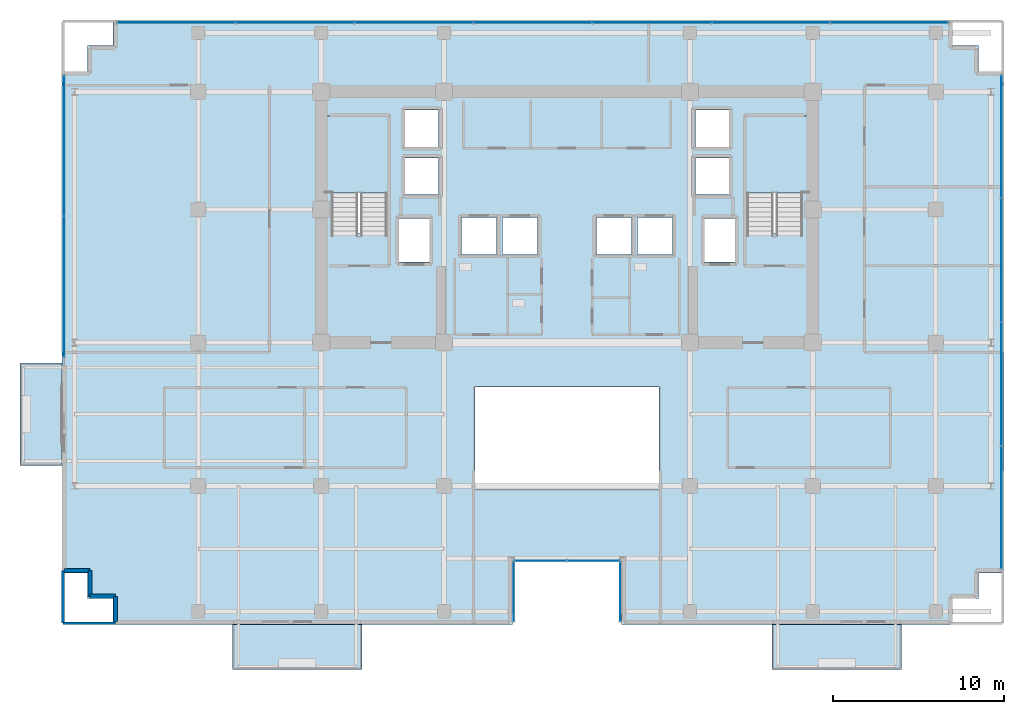
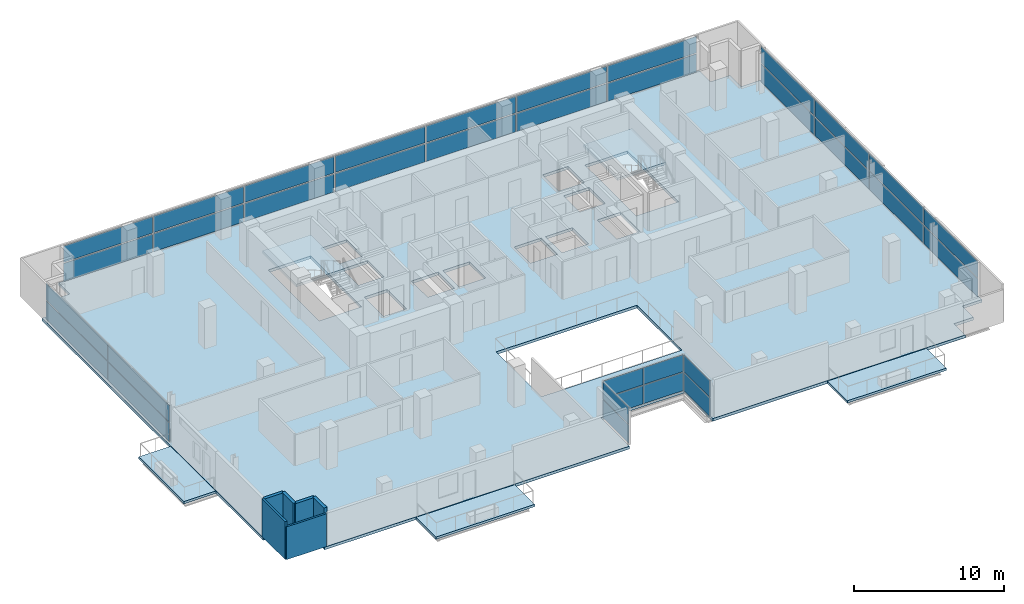
# One storey, part 19 of 27: 34 plates, 6 slabs, 6 walls, 8 elements without a shape of their own.
"""IFC4 building model written with IfcOpenShell, lengths in metres."""

from ifc_helpers import new_model, si_unit, direction, frame, frame_2d, origin, origin_2d, place, context, subcontext, project, spatial, polyline, rectangle, outline, extrude, source, transform, mapped, material, layer, layer_set, type_object, element, aggregate, save


model = new_model("IFC4")

# Units and contexts
model_context = context("Model", 3, precision=1e-05, world=origin(), true_north=direction((0.0, 1.0)))
body_context = subcontext(model_context, "Body", "Model", "MODEL_VIEW")
ifc_project = project(units=[si_unit("LENGTHUNIT", "METRE"), si_unit("AREAUNIT", "SQUARE_METRE"), si_unit("VOLUMEUNIT", "CUBIC_METRE"), si_unit("PLANEANGLEUNIT", "RADIAN"), si_unit("MASSUNIT", "GRAM", prefix="KILO")], contexts=[model_context])

# Site, building, storey
site_placement = place(None, origin())
site = spatial("IfcSite", under=ifc_project, at=site_placement, CompositionType="ELEMENT")
building_placement = place(site_placement, origin())
building = spatial("IfcBuilding", under=site, at=building_placement, Name="Zarnakvel Exchange Tower", CompositionType="ELEMENT")
storey_placement = place(building_placement, frame((0.0, 0.0, 96.699951171875)))
storey = spatial("IfcBuildingStorey", under=building, at=storey_placement, Name="L26", CompositionType="ELEMENT", Elevation=96.699951171875)

# Stair, slab
ifc_material_1 = material(Name="Concrete C40/50", Category="concrete")
stair_type = type_object("IfcStairType", Name="STR-01", PredefinedType="HALF_TURN_STAIR", material=ifc_material_1)
stair_1_placement = place(storey_placement, origin())
stair_1 = element("IfcStair", 1, at=stair_1_placement, inside=storey, type_object=stair_type, Name="L26 Protected Core Exit Stair ST-01", PredefinedType="HALF_TURN_STAIR")
ifc_layer_1 = layer(ifc_material_1, 0.199951171875)
ifc_layer_set_1 = layer_set([ifc_layer_1], Name="Concrete C40/50")
slab_type_1 = type_object("IfcSlabType", Name="LDG-01", PredefinedType="LANDING", material=ifc_layer_set_1)
slab_1_placement = place(storey_placement, frame((0.0, 0.0, 1.449951171875)))
slab_1 = element("IfcSlab", 2, at=slab_1_placement, type_object=slab_type_1, Name="ST-01 landing 1", PredefinedType="LANDING", context=body_context, shape_type="SweptSolid", body=[
    extrude(outline(polyline([(-14.18994140625, 7.570068359375), (-10.4599609375, 7.570068359375), (-10.4599609375, 12.080078125), (-14.18994140625, 12.080078125), (-14.18994140625, 7.570068359375)])), origin(), (0.0, 0.0, 1.0), 0.2001953125),
])
aggregate(stair_1, [slab_1])

stair_2_placement = place(storey_placement, origin())
stair_2 = element("IfcStair", 3, at=stair_2_placement, inside=storey, type_object=stair_type, Name="L26 Protected Core Exit Stair ST-02", PredefinedType="HALF_TURN_STAIR")
slab_2_placement = place(storey_placement, frame((0.0, 0.0, 1.449951171875)))
slab_2 = element("IfcSlab", 4, at=slab_2_placement, type_object=slab_type_1, Name="ST-02 landing 1", PredefinedType="LANDING", context=body_context, shape_type="SweptSolid", body=[
    extrude(outline(polyline([(10.4599609375, 7.570068359375), (14.18994140625, 7.570068359375), (14.18994140625, 12.080078125), (10.4599609375, 12.080078125), (10.4599609375, 7.570068359375)])), origin(), (0.0, 0.0, 1.0), 0.2001953125),
])
aggregate(stair_2, [slab_2])

# Slabs
ifc_layer_2 = layer(ifc_material_1, 0.22509765625)
ifc_layer_set_2 = layer_set([ifc_layer_2], Name="Concrete C40/50")
slab_type_2 = type_object("IfcSlabType", Name="SL-04", PredefinedType="FLOOR", material=ifc_layer_set_2)
slab_3_placement = place(storey_placement, frame((0.0, 0.0, -0.224853515625)))
element("IfcSlab", 5, at=slab_3_placement, inside=storey, type_object=slab_type_2, Name="L26 Primary Structural Floor Slab", PredefinedType="FLOOR", context=body_context, shape_type="SweptSolid", body=[
    extrude(outline(polyline([(-29.60009765625, -14.699951171875), (-28.10009765625, -14.699951171875), (-28.10009765625, -16.199951171875), (-26.60009765625, -16.199951171875), (-26.60009765625, -17.699951171875), (-3.199951171875, -17.699951171875), (-3.199951171875, -13.89990234375), (3.199951171875, -13.89990234375), (3.199951171875, -17.699951171875), (22.60009765625, -17.699951171875), (22.60009765625, -16.199951171875), (24.10009765625, -16.199951171875), (24.10009765625, -14.699951171875), (25.60009765625, -14.699951171875), (25.60009765625, 14.699951171875), (24.10009765625, 14.699951171875), (24.10009765625, 16.199951171875), (22.60009765625, 16.199951171875), (22.60009765625, 17.699951171875), (-26.60009765625, 17.699951171875), (-26.60009765625, 16.199951171875), (-28.10009765625, 16.199951171875), (-28.10009765625, 14.699951171875), (-29.60009765625, 14.699951171875), (-29.60009765625, -14.699951171875)]), holes=[polyline([(-5.39990234375, -9.800048828125), (5.39990234375, -9.800048828125), (5.39990234375, -3.800048828125), (-5.39990234375, -3.800048828125), (-5.39990234375, -9.800048828125)]), polyline([(-13.800048828125, 5.2099609375), (-10.5400390625, 5.2099609375), (-10.5400390625, 12.0), (-13.800048828125, 12.0), (-13.800048828125, 5.2099609375)]), polyline([(10.5400390625, 5.2099609375), (13.800048828125, 5.2099609375), (13.800048828125, 12.0), (10.5400390625, 12.0), (10.5400390625, 5.2099609375)]), polyline([(-9.830078125, 3.52001953125), (-8.070068359375, 3.52001953125), (-8.070068359375, 6.080078125), (-9.830078125, 6.080078125), (-9.830078125, 3.52001953125)]), polyline([(8.070068359375, 3.52001953125), (9.830078125, 3.52001953125), (9.830078125, 6.080078125), (8.070068359375, 6.080078125), (8.070068359375, 3.52001953125)]), polyline([(-6.179931640625, 3.969970703125), (-4.1201171875, 3.969970703125), (-4.1201171875, 6.1298828125), (-6.179931640625, 6.1298828125), (-6.179931640625, 3.969970703125)]), polyline([(-3.780029296875, 3.969970703125), (-1.719970703125, 3.969970703125), (-1.719970703125, 6.1298828125), (-3.780029296875, 6.1298828125), (-3.780029296875, 3.969970703125)]), polyline([(1.719970703125, 3.969970703125), (3.780029296875, 3.969970703125), (3.780029296875, 6.1298828125), (1.719970703125, 6.1298828125), (1.719970703125, 3.969970703125)]), polyline([(4.1201171875, 3.969970703125), (6.179931640625, 3.969970703125), (6.179931640625, 6.1298828125), (4.1201171875, 6.1298828125), (4.1201171875, 3.969970703125)]), polyline([(-9.47998046875, 7.469970703125), (-7.52001953125, 7.469970703125), (-7.52001953125, 9.6298828125), (-9.47998046875, 9.6298828125), (-9.47998046875, 7.469970703125)]), polyline([(-9.47998046875, 10.27001953125), (-7.52001953125, 10.27001953125), (-7.52001953125, 12.429931640625), (-9.47998046875, 12.429931640625), (-9.47998046875, 10.27001953125)]), polyline([(7.52001953125, 7.469970703125), (9.47998046875, 7.469970703125), (9.47998046875, 9.6298828125), (7.52001953125, 9.6298828125), (7.52001953125, 7.469970703125)]), polyline([(7.52001953125, 10.27001953125), (9.47998046875, 10.27001953125), (9.47998046875, 12.429931640625), (7.52001953125, 12.429931640625), (7.52001953125, 10.27001953125)])]), origin(), (0.0, 0.0, 1.0), 0.224853515625),
])
ifc_layer_3 = layer(ifc_material_1, 0.18994140625)
ifc_layer_set_3 = layer_set([ifc_layer_3], Name="Concrete C40/50")
slab_type_3 = type_object("IfcSlabType", Name="SL-08", PredefinedType="USERDEFINED", material=ifc_layer_set_3)
slab_4_placement = place(storey_placement, frame((0.0, 0.0, -0.224853515625)))
element("IfcSlab", 6, at=slab_4_placement, inside=storey, type_object=slab_type_3, Name="L26 Planted Loggia Balcony Slab BAL-L26-SW", ObjectType="BALCONY", PredefinedType="USERDEFINED", context=body_context, shape_type="SweptSolid", body=[
    extrude(outline(polyline([(-19.60009765625, -20.35009765625), (-12.0, -20.35009765625), (-12.0, -17.699951171875), (-19.60009765625, -17.699951171875), (-19.60009765625, -20.35009765625)])), origin(), (0.0, 0.0, 1.0), 0.18994140625),
])
slab_5_placement = place(storey_placement, frame((0.0, 0.0, -0.224853515625)))
element("IfcSlab", 7, at=slab_5_placement, inside=storey, type_object=slab_type_3, Name="L26 Planted Loggia Balcony Slab BAL-L26-SE", ObjectType="BALCONY", PredefinedType="USERDEFINED", context=body_context, shape_type="SweptSolid", body=[
    extrude(outline(polyline([(12.0, -20.35009765625), (19.60009765625, -20.35009765625), (19.60009765625, -17.699951171875), (12.0, -17.699951171875), (12.0, -20.35009765625)])), origin(), (0.0, 0.0, 1.0), 0.18994140625),
])
slab_6_placement = place(storey_placement, frame((0.0, 0.0, -0.224853515625)))
element("IfcSlab", 8, at=slab_6_placement, inside=storey, type_object=slab_type_3, Name="L26 Planted Loggia Balcony Slab BAL-L26-W", ObjectType="BALCONY", PredefinedType="USERDEFINED", context=body_context, shape_type="SweptSolid", body=[
    extrude(outline(polyline([(-32.050048828125, -8.39990234375), (-29.60009765625, -8.39990234375), (-29.60009765625, -2.39990234375), (-32.050048828125, -2.39990234375), (-32.050048828125, -8.39990234375)])), origin(), (0.0, 0.0, 1.0), 0.18994140625),
])

# Curtain wall, plate
ifc_material_2 = material(Name="Architectural Bronze Anodised Aluminium", Category="aluminium")
ifc_layer_4 = layer(ifc_material_2, 0.179931640625)
ifc_layer_set_4 = layer_set([ifc_layer_4], Name="Architectural Bronze Anodised Aluminium")
curtain_wall_type_1 = type_object("IfcCurtainWallType", Name="CW-05", PredefinedType="NOTDEFINED", material=ifc_layer_set_4)
curtain_wall_1_placement = place(storey_placement, origin())
curtain_wall_1 = element("IfcCurtainWall", 9, at=curtain_wall_1_placement, inside=storey, type_object=curtain_wall_type_1, Name="L26 Curtain Wall CW-L26-SLW (CW-05)", PredefinedType="NOTDEFINED")
ifc_material_3 = material(Name="Double Low-E Laminated Vision Glass", Category="glass")
ifc_layer_5 = layer(ifc_material_3, 0.02587890625)
ifc_layer_set_5 = layer_set([ifc_layer_5], Name="Double Low-E Laminated Vision Glass")
plate_type_1 = type_object("IfcPlateType", Name="CWP-05", PredefinedType="CURTAIN_PANEL", material=ifc_layer_set_5)
shared_shape_1 = source(origin(), body_context, "Body", "SweptSolid", [
    extrude(rectangle(XDim=3.4599609375, YDim=0.02587890625, at=origin_2d()), origin(), (0.0, 0.0, 1.0), 1.483642578125),
])
plate_1_placement = place(storey_placement, frame((-3.1201171875, -15.780029296875, 0.06982421875), z_axis=(0.0, 0.0, 1.0), x_axis=(0.0, 1.0, 0.0)))
plate_1 = element("IfcPlate", 10, at=plate_1_placement, type_object=plate_type_1, Name="CW-05 panel 1.1", PredefinedType="CURTAIN_PANEL", context=body_context, shape_type="MappedRepresentation", body=[
    mapped(shared_shape_1, transform((0.0, 0.0, 0.0), x_axis=(1.0, 0.0, 0.0), y_axis=(0.0, 1.0, 0.0), z_axis=(0.0, 0.0, 1.0), scale=1.0)),
])

curtain_wall_2_placement = place(storey_placement, origin())
curtain_wall_2 = element("IfcCurtainWall", 11, at=curtain_wall_2_placement, inside=storey, type_object=curtain_wall_type_1, Name="L26 Curtain Wall CW-L26-SLE (CW-05)", PredefinedType="NOTDEFINED")
plate_2_placement = place(storey_placement, frame((3.1201171875, -15.780029296875, 0.06982421875), z_axis=(0.0, 0.0, 1.0), x_axis=(0.0, -1.0, 0.0)))
plate_2 = element("IfcPlate", 12, at=plate_2_placement, type_object=plate_type_1, Name="CW-05 panel 1.1", PredefinedType="CURTAIN_PANEL", context=body_context, shape_type="MappedRepresentation", body=[
    mapped(shared_shape_1, transform((0.0, 0.0, 0.0), x_axis=(1.0, 0.0, 0.0), y_axis=(0.0, 1.0, 0.0), z_axis=(0.0, 0.0, 1.0), scale=1.0)),
])

# Plate
shared_shape_2 = source(origin(), body_context, "Body", "SweptSolid", [
    extrude(rectangle(XDim=3.4599609375, YDim=0.02587890625, at=origin_2d()), origin(), (0.0, 0.0, 1.0), 1.361328125),
])
plate_3_placement = place(storey_placement, frame((-3.1201171875, -15.780029296875, 1.623779296875), z_axis=(0.0, 0.0, 1.0), x_axis=(0.0, 1.0, 0.0)))
plate_3 = element("IfcPlate", 13, at=plate_3_placement, type_object=plate_type_1, Name="CW-05 panel 1.2", PredefinedType="CURTAIN_PANEL", context=body_context, shape_type="MappedRepresentation", body=[
    mapped(shared_shape_2, transform((0.0, 0.0, 0.0), x_axis=(1.0, 0.0, 0.0), y_axis=(0.0, 1.0, 0.0), z_axis=(0.0, 0.0, 1.0), scale=1.0)),
])

aggregate(curtain_wall_1, [plate_1, plate_3])

plate_4_placement = place(storey_placement, frame((3.1201171875, -15.780029296875, 1.623779296875), z_axis=(0.0, 0.0, 1.0), x_axis=(0.0, -1.0, 0.0)))
plate_4 = element("IfcPlate", 14, at=plate_4_placement, type_object=plate_type_1, Name="CW-05 panel 1.2", PredefinedType="CURTAIN_PANEL", context=body_context, shape_type="MappedRepresentation", body=[
    mapped(shared_shape_2, transform((0.0, 0.0, 0.0), x_axis=(1.0, 0.0, 0.0), y_axis=(0.0, 1.0, 0.0), z_axis=(0.0, 0.0, 1.0), scale=1.0)),
])

aggregate(curtain_wall_2, [plate_2, plate_4])

# Curtain wall, plates
curtain_wall_3_placement = place(storey_placement, origin())
curtain_wall_3 = element("IfcCurtainWall", 15, at=curtain_wall_3_placement, inside=storey, type_object=curtain_wall_type_1, Name="L26 Curtain Wall CW-L26-SLB (CW-05)", PredefinedType="NOTDEFINED")
shared_shape_3 = source(origin(), body_context, "Body", "SweptSolid", [
    extrude(rectangle(XDim=3.014892578125, YDim=0.02587890625, at=origin_2d()), origin(), (0.0, 0.0, 1.0), 1.483642578125),
])
plate_5_placement = place(storey_placement, frame((-1.54248046875, -13.97998046875, 0.06982421875), z_axis=(0.0, 0.0, 1.0), x_axis=(1.0, 0.0, 0.0)))
plate_5 = element("IfcPlate", 16, at=plate_5_placement, type_object=plate_type_1, Name="CW-05 panel 1.1", PredefinedType="CURTAIN_PANEL", context=body_context, shape_type="MappedRepresentation", body=[
    mapped(shared_shape_3, transform((0.0, 0.0, 0.0), x_axis=(1.0, 0.0, 0.0), y_axis=(0.0, 1.0, 0.0), z_axis=(0.0, 0.0, 1.0), scale=1.0)),
])
plate_6_placement = place(storey_placement, frame((1.54248046875, -13.97998046875, 0.06982421875), z_axis=(0.0, 0.0, 1.0), x_axis=(1.0, 0.0, 0.0)))
plate_6 = element("IfcPlate", 17, at=plate_6_placement, type_object=plate_type_1, Name="CW-05 panel 2.1", PredefinedType="CURTAIN_PANEL", context=body_context, shape_type="MappedRepresentation", body=[
    mapped(shared_shape_3, transform((0.0, 0.0, 0.0), x_axis=(1.0, 0.0, 0.0), y_axis=(0.0, 1.0, 0.0), z_axis=(0.0, 0.0, 1.0), scale=1.0)),
])
shared_shape_4 = source(origin(), body_context, "Body", "SweptSolid", [
    extrude(rectangle(XDim=3.014892578125, YDim=0.02587890625, at=origin_2d()), origin(), (0.0, 0.0, 1.0), 1.361328125),
])
plate_7_placement = place(storey_placement, frame((-1.54248046875, -13.97998046875, 1.623779296875), z_axis=(0.0, 0.0, 1.0), x_axis=(1.0, 0.0, 0.0)))
plate_7 = element("IfcPlate", 18, at=plate_7_placement, type_object=plate_type_1, Name="CW-05 panel 1.2", PredefinedType="CURTAIN_PANEL", context=body_context, shape_type="MappedRepresentation", body=[
    mapped(shared_shape_4, transform((0.0, 0.0, 0.0), x_axis=(1.0, 0.0, 0.0), y_axis=(0.0, 1.0, 0.0), z_axis=(0.0, 0.0, 1.0), scale=1.0)),
])
plate_8_placement = place(storey_placement, frame((1.54248046875, -13.97998046875, 1.623779296875), z_axis=(0.0, 0.0, 1.0), x_axis=(1.0, 0.0, 0.0)))
plate_8 = element("IfcPlate", 19, at=plate_8_placement, type_object=plate_type_1, Name="CW-05 panel 2.2", PredefinedType="CURTAIN_PANEL", context=body_context, shape_type="MappedRepresentation", body=[
    mapped(shared_shape_4, transform((0.0, 0.0, 0.0), x_axis=(1.0, 0.0, 0.0), y_axis=(0.0, 1.0, 0.0), z_axis=(0.0, 0.0, 1.0), scale=1.0)),
])
aggregate(curtain_wall_3, [plate_5, plate_7, plate_6, plate_8])

ifc_layer_6 = layer(ifc_material_2, 0.199951171875)
ifc_layer_set_6 = layer_set([ifc_layer_6], Name="Architectural Bronze Anodised Aluminium")
curtain_wall_type_2 = type_object("IfcCurtainWallType", Name="CW-04", PredefinedType="NOTDEFINED", material=ifc_layer_set_6)
curtain_wall_4_placement = place(storey_placement, origin())
curtain_wall_4 = element("IfcCurtainWall", 20, at=curtain_wall_4_placement, inside=storey, type_object=curtain_wall_type_2, Name="L26 Curtain Wall CW-L26-E1 (CW-04)", PredefinedType="NOTDEFINED")
ifc_layer_7 = layer(ifc_material_3, 0.028076171875)
ifc_layer_set_7 = layer_set([ifc_layer_7], Name="Double Low-E Laminated Vision Glass")
plate_type_2 = type_object("IfcPlateType", Name="CWP-04", PredefinedType="CURTAIN_PANEL", material=ifc_layer_set_7)
shared_shape_5 = source(origin(), body_context, "Body", "SweptSolid", [
    extrude(rectangle(XDim=7.137451171875, YDim=0.028076171875, at=origin_2d()), origin(), (0.0, 0.0, 1.0), 1.47607421875),
])
plate_9_placement = place(storey_placement, frame((25.4599609375, -10.856201171875, 0.074951171875), z_axis=(0.0, 0.0, 1.0), x_axis=(0.0, 1.0, 0.0)))
plate_9 = element("IfcPlate", 21, at=plate_9_placement, type_object=plate_type_2, Name="CW-04 panel 1.1", PredefinedType="CURTAIN_PANEL", context=body_context, shape_type="MappedRepresentation", body=[
    mapped(shared_shape_5, transform((0.0, 0.0, 0.0), x_axis=(1.0, 0.0, 0.0), y_axis=(0.0, 1.0, 0.0), z_axis=(0.0, 0.0, 1.0), scale=1.0)),
])
plate_10_placement = place(storey_placement, frame((25.4599609375, 10.856201171875, 0.074951171875), z_axis=(0.0, 0.0, 1.0), x_axis=(0.0, 1.0, 0.0)))
plate_10 = element("IfcPlate", 22, at=plate_10_placement, type_object=plate_type_2, Name="CW-04 panel 4.1", PredefinedType="CURTAIN_PANEL", context=body_context, shape_type="MappedRepresentation", body=[
    mapped(shared_shape_5, transform((0.0, 0.0, 0.0), x_axis=(1.0, 0.0, 0.0), y_axis=(0.0, 1.0, 0.0), z_axis=(0.0, 0.0, 1.0), scale=1.0)),
])
shared_shape_6 = source(origin(), body_context, "Body", "SweptSolid", [
    extrude(rectangle(XDim=7.137451171875, YDim=0.028076171875, at=origin_2d()), origin(), (0.0, 0.0, 1.0), 1.35400390625),
])
plate_11_placement = place(storey_placement, frame((25.4599609375, -10.856201171875, 1.6259765625), z_axis=(0.0, 0.0, 1.0), x_axis=(0.0, 1.0, 0.0)))
plate_11 = element("IfcPlate", 23, at=plate_11_placement, type_object=plate_type_2, Name="CW-04 panel 1.2", PredefinedType="CURTAIN_PANEL", context=body_context, shape_type="MappedRepresentation", body=[
    mapped(shared_shape_6, transform((0.0, 0.0, 0.0), x_axis=(1.0, 0.0, 0.0), y_axis=(0.0, 1.0, 0.0), z_axis=(0.0, 0.0, 1.0), scale=1.0)),
])
plate_12_placement = place(storey_placement, frame((25.4599609375, 10.856201171875, 1.6259765625), z_axis=(0.0, 0.0, 1.0), x_axis=(0.0, 1.0, 0.0)))
plate_12 = element("IfcPlate", 24, at=plate_12_placement, type_object=plate_type_2, Name="CW-04 panel 4.2", PredefinedType="CURTAIN_PANEL", context=body_context, shape_type="MappedRepresentation", body=[
    mapped(shared_shape_6, transform((0.0, 0.0, 0.0), x_axis=(1.0, 0.0, 0.0), y_axis=(0.0, 1.0, 0.0), z_axis=(0.0, 0.0, 1.0), scale=1.0)),
])
shared_shape_7 = source(origin(), body_context, "Body", "SweptSolid", [
    extrude(rectangle(XDim=7.175048828125, YDim=0.028076171875, at=origin_2d()), origin(), (0.0, 0.0, 1.0), 1.47607421875),
])
plate_13_placement = place(storey_placement, frame((25.4599609375, -3.625, 0.074951171875), z_axis=(0.0, 0.0, 1.0), x_axis=(0.0, 1.0, 0.0)))
plate_13 = element("IfcPlate", 25, at=plate_13_placement, type_object=plate_type_2, Name="CW-04 panel 2.1", PredefinedType="CURTAIN_PANEL", context=body_context, shape_type="MappedRepresentation", body=[
    mapped(shared_shape_7, transform((0.0, 0.0, 0.0), x_axis=(1.0, 0.0, 0.0), y_axis=(0.0, 1.0, 0.0), z_axis=(0.0, 0.0, 1.0), scale=1.0)),
])
plate_14_placement = place(storey_placement, frame((25.4599609375, 3.625, 0.074951171875), z_axis=(0.0, 0.0, 1.0), x_axis=(0.0, 1.0, 0.0)))
plate_14 = element("IfcPlate", 26, at=plate_14_placement, type_object=plate_type_2, Name="CW-04 panel 3.1", PredefinedType="CURTAIN_PANEL", context=body_context, shape_type="MappedRepresentation", body=[
    mapped(shared_shape_7, transform((0.0, 0.0, 0.0), x_axis=(1.0, 0.0, 0.0), y_axis=(0.0, 1.0, 0.0), z_axis=(0.0, 0.0, 1.0), scale=1.0)),
])
shared_shape_8 = source(origin(), body_context, "Body", "SweptSolid", [
    extrude(rectangle(XDim=7.175048828125, YDim=0.028076171875, at=origin_2d()), origin(), (0.0, 0.0, 1.0), 1.35400390625),
])
plate_15_placement = place(storey_placement, frame((25.4599609375, -3.625, 1.6259765625), z_axis=(0.0, 0.0, 1.0), x_axis=(0.0, 1.0, 0.0)))
plate_15 = element("IfcPlate", 27, at=plate_15_placement, type_object=plate_type_2, Name="CW-04 panel 2.2", PredefinedType="CURTAIN_PANEL", context=body_context, shape_type="MappedRepresentation", body=[
    mapped(shared_shape_8, transform((0.0, 0.0, 0.0), x_axis=(1.0, 0.0, 0.0), y_axis=(0.0, 1.0, 0.0), z_axis=(0.0, 0.0, 1.0), scale=1.0)),
])
plate_16_placement = place(storey_placement, frame((25.4599609375, 3.625, 1.6259765625), z_axis=(0.0, 0.0, 1.0), x_axis=(0.0, 1.0, 0.0)))
plate_16 = element("IfcPlate", 28, at=plate_16_placement, type_object=plate_type_2, Name="CW-04 panel 3.2", PredefinedType="CURTAIN_PANEL", context=body_context, shape_type="MappedRepresentation", body=[
    mapped(shared_shape_8, transform((0.0, 0.0, 0.0), x_axis=(1.0, 0.0, 0.0), y_axis=(0.0, 1.0, 0.0), z_axis=(0.0, 0.0, 1.0), scale=1.0)),
])
aggregate(curtain_wall_4, [plate_9, plate_11, plate_13, plate_15, plate_14, plate_16, plate_10, plate_12])

curtain_wall_5_placement = place(storey_placement, origin())
curtain_wall_5 = element("IfcCurtainWall", 29, at=curtain_wall_5_placement, inside=storey, type_object=curtain_wall_type_2, Name="L26 Curtain Wall CW-L26-WN (CW-04)", PredefinedType="NOTDEFINED")
shared_shape_9 = source(origin(), body_context, "Body", "SweptSolid", [
    extrude(rectangle(XDim=8.1875, YDim=0.028076171875, at=origin_2d()), origin(), (0.0, 0.0, 1.0), 1.47607421875),
])
plate_17_placement = place(storey_placement, frame((-29.4599609375, 2.06884765625, 0.074951171875), z_axis=(0.0, 0.0, 1.0), x_axis=(0.0, 1.0, 0.0)))
plate_17 = element("IfcPlate", 30, at=plate_17_placement, type_object=plate_type_2, Name="CW-04 panel 1.1", PredefinedType="CURTAIN_PANEL", context=body_context, shape_type="MappedRepresentation", body=[
    mapped(shared_shape_9, transform((0.0, 0.0, 0.0), x_axis=(1.0, 0.0, 0.0), y_axis=(0.0, 1.0, 0.0), z_axis=(0.0, 0.0, 1.0), scale=1.0)),
])
plate_18_placement = place(storey_placement, frame((-29.4599609375, 10.331298828125, 0.074951171875), z_axis=(0.0, 0.0, 1.0), x_axis=(0.0, 1.0, 0.0)))
plate_18 = element("IfcPlate", 31, at=plate_18_placement, type_object=plate_type_2, Name="CW-04 panel 2.1", PredefinedType="CURTAIN_PANEL", context=body_context, shape_type="MappedRepresentation", body=[
    mapped(shared_shape_9, transform((0.0, 0.0, 0.0), x_axis=(1.0, 0.0, 0.0), y_axis=(0.0, 1.0, 0.0), z_axis=(0.0, 0.0, 1.0), scale=1.0)),
])
shared_shape_10 = source(origin(), body_context, "Body", "SweptSolid", [
    extrude(rectangle(XDim=8.1875, YDim=0.028076171875, at=origin_2d()), origin(), (0.0, 0.0, 1.0), 1.35400390625),
])
plate_19_placement = place(storey_placement, frame((-29.4599609375, 2.06884765625, 1.6259765625), z_axis=(0.0, 0.0, 1.0), x_axis=(0.0, 1.0, 0.0)))
plate_19 = element("IfcPlate", 32, at=plate_19_placement, type_object=plate_type_2, Name="CW-04 panel 1.2", PredefinedType="CURTAIN_PANEL", context=body_context, shape_type="MappedRepresentation", body=[
    mapped(shared_shape_10, transform((0.0, 0.0, 0.0), x_axis=(1.0, 0.0, 0.0), y_axis=(0.0, 1.0, 0.0), z_axis=(0.0, 0.0, 1.0), scale=1.0)),
])
plate_20_placement = place(storey_placement, frame((-29.4599609375, 10.331298828125, 1.6259765625), z_axis=(0.0, 0.0, 1.0), x_axis=(0.0, 1.0, 0.0)))
plate_20 = element("IfcPlate", 33, at=plate_20_placement, type_object=plate_type_2, Name="CW-04 panel 2.2", PredefinedType="CURTAIN_PANEL", context=body_context, shape_type="MappedRepresentation", body=[
    mapped(shared_shape_10, transform((0.0, 0.0, 0.0), x_axis=(1.0, 0.0, 0.0), y_axis=(0.0, 1.0, 0.0), z_axis=(0.0, 0.0, 1.0), scale=1.0)),
])
aggregate(curtain_wall_5, [plate_17, plate_19, plate_18, plate_20])

ifc_layer_8 = layer(ifc_material_2, 0.239990234375)
ifc_layer_set_8 = layer_set([ifc_layer_8], Name="Architectural Bronze Anodised Aluminium")
curtain_wall_type_3 = type_object("IfcCurtainWallType", Name="CW-02", PredefinedType="NOTDEFINED", material=ifc_layer_set_8)
curtain_wall_6_placement = place(storey_placement, origin())
curtain_wall_6 = element("IfcCurtainWall", 34, at=curtain_wall_6_placement, inside=storey, type_object=curtain_wall_type_3, Name="L26 Curtain Wall CW-L26-N1 (CW-02)", PredefinedType="NOTDEFINED")
ifc_layer_9 = layer(ifc_material_3, 0.031982421875)
ifc_layer_set_9 = layer_set([ifc_layer_9], Name="Double Low-E Laminated Vision Glass")
plate_type_3 = type_object("IfcPlateType", Name="CWP-02", PredefinedType="CURTAIN_PANEL", material=ifc_layer_set_9)
shared_shape_11 = source(origin(), body_context, "Body", "SweptSolid", [
    extrude(rectangle(XDim=6.83642578125, YDim=0.031982421875, at=origin_2d()), origin(), (0.0, 0.0, 1.0), 1.461181640625),
])
plate_21_placement = place(storey_placement, frame((-22.891845703125, 17.56005859375, 0.0849609375), z_axis=(0.0, 0.0, 1.0), x_axis=(1.0, 0.0, 0.0)))
plate_21 = element("IfcPlate", 35, at=plate_21_placement, type_object=plate_type_3, Name="CW-02 panel 1.1", PredefinedType="CURTAIN_PANEL", context=body_context, shape_type="MappedRepresentation", body=[
    mapped(shared_shape_11, transform((0.0, 0.0, 0.0), x_axis=(1.0, 0.0, 0.0), y_axis=(0.0, 1.0, 0.0), z_axis=(0.0, 0.0, 1.0), scale=1.0)),
])
plate_22_placement = place(storey_placement, frame((18.891845703125, 17.56005859375, 0.0849609375), z_axis=(0.0, 0.0, 1.0), x_axis=(1.0, 0.0, 0.0)))
plate_22 = element("IfcPlate", 36, at=plate_22_placement, type_object=plate_type_3, Name="CW-02 panel 7.1", PredefinedType="CURTAIN_PANEL", context=body_context, shape_type="MappedRepresentation", body=[
    mapped(shared_shape_11, transform((0.0, 0.0, 0.0), x_axis=(1.0, 0.0, 0.0), y_axis=(0.0, 1.0, 0.0), z_axis=(0.0, 0.0, 1.0), scale=1.0)),
])
shared_shape_12 = source(origin(), body_context, "Body", "SweptSolid", [
    extrude(rectangle(XDim=6.83642578125, YDim=0.031982421875, at=origin_2d()), origin(), (0.0, 0.0, 1.0), 1.3388671875),
])
plate_23_placement = place(storey_placement, frame((-22.891845703125, 17.56005859375, 1.631103515625), z_axis=(0.0, 0.0, 1.0), x_axis=(1.0, 0.0, 0.0)))
plate_23 = element("IfcPlate", 37, at=plate_23_placement, type_object=plate_type_3, Name="CW-02 panel 1.2", PredefinedType="CURTAIN_PANEL", context=body_context, shape_type="MappedRepresentation", body=[
    mapped(shared_shape_12, transform((0.0, 0.0, 0.0), x_axis=(1.0, 0.0, 0.0), y_axis=(0.0, 1.0, 0.0), z_axis=(0.0, 0.0, 1.0), scale=1.0)),
])
plate_24_placement = place(storey_placement, frame((18.891845703125, 17.56005859375, 1.631103515625), z_axis=(0.0, 0.0, 1.0), x_axis=(1.0, 0.0, 0.0)))
plate_24 = element("IfcPlate", 38, at=plate_24_placement, type_object=plate_type_3, Name="CW-02 panel 7.2", PredefinedType="CURTAIN_PANEL", context=body_context, shape_type="MappedRepresentation", body=[
    mapped(shared_shape_12, transform((0.0, 0.0, 0.0), x_axis=(1.0, 0.0, 0.0), y_axis=(0.0, 1.0, 0.0), z_axis=(0.0, 0.0, 1.0), scale=1.0)),
])
shared_shape_13 = source(origin(), body_context, "Body", "SweptSolid", [
    extrude(rectangle(XDim=6.88134765625, YDim=0.031982421875, at=origin_2d()), origin(), (0.0, 0.0, 1.0), 1.461181640625),
])
plate_25_placement = place(storey_placement, frame((-15.94287109375, 17.56005859375, 0.0849609375), z_axis=(0.0, 0.0, 1.0), x_axis=(1.0, 0.0, 0.0)))
plate_25 = element("IfcPlate", 39, at=plate_25_placement, type_object=plate_type_3, Name="CW-02 panel 2.1", PredefinedType="CURTAIN_PANEL", context=body_context, shape_type="MappedRepresentation", body=[
    mapped(shared_shape_13, transform((0.0, 0.0, 0.0), x_axis=(1.0, 0.0, 0.0), y_axis=(0.0, 1.0, 0.0), z_axis=(0.0, 0.0, 1.0), scale=1.0)),
])
plate_26_placement = place(storey_placement, frame((-8.971435546875, 17.56005859375, 0.0849609375), z_axis=(0.0, 0.0, 1.0), x_axis=(1.0, 0.0, 0.0)))
plate_26 = element("IfcPlate", 40, at=plate_26_placement, type_object=plate_type_3, Name="CW-02 panel 3.1", PredefinedType="CURTAIN_PANEL", context=body_context, shape_type="MappedRepresentation", body=[
    mapped(shared_shape_13, transform((0.0, 0.0, 0.0), x_axis=(1.0, 0.0, 0.0), y_axis=(0.0, 1.0, 0.0), z_axis=(0.0, 0.0, 1.0), scale=1.0)),
])
plate_27_placement = place(storey_placement, frame((-2.0, 17.56005859375, 0.0849609375), z_axis=(0.0, 0.0, 1.0), x_axis=(1.0, 0.0, 0.0)))
plate_27 = element("IfcPlate", 41, at=plate_27_placement, type_object=plate_type_3, Name="CW-02 panel 4.1", PredefinedType="CURTAIN_PANEL", context=body_context, shape_type="MappedRepresentation", body=[
    mapped(shared_shape_13, transform((0.0, 0.0, 0.0), x_axis=(1.0, 0.0, 0.0), y_axis=(0.0, 1.0, 0.0), z_axis=(0.0, 0.0, 1.0), scale=1.0)),
])
plate_28_placement = place(storey_placement, frame((4.971435546875, 17.56005859375, 0.0849609375), z_axis=(0.0, 0.0, 1.0), x_axis=(1.0, 0.0, 0.0)))
plate_28 = element("IfcPlate", 42, at=plate_28_placement, type_object=plate_type_3, Name="CW-02 panel 5.1", PredefinedType="CURTAIN_PANEL", context=body_context, shape_type="MappedRepresentation", body=[
    mapped(shared_shape_13, transform((0.0, 0.0, 0.0), x_axis=(1.0, 0.0, 0.0), y_axis=(0.0, 1.0, 0.0), z_axis=(0.0, 0.0, 1.0), scale=1.0)),
])
plate_29_placement = place(storey_placement, frame((11.94287109375, 17.56005859375, 0.0849609375), z_axis=(0.0, 0.0, 1.0), x_axis=(1.0, 0.0, 0.0)))
plate_29 = element("IfcPlate", 43, at=plate_29_placement, type_object=plate_type_3, Name="CW-02 panel 6.1", PredefinedType="CURTAIN_PANEL", context=body_context, shape_type="MappedRepresentation", body=[
    mapped(shared_shape_13, transform((0.0, 0.0, 0.0), x_axis=(1.0, 0.0, 0.0), y_axis=(0.0, 1.0, 0.0), z_axis=(0.0, 0.0, 1.0), scale=1.0)),
])
shared_shape_14 = source(origin(), body_context, "Body", "SweptSolid", [
    extrude(rectangle(XDim=6.88134765625, YDim=0.031982421875, at=origin_2d()), origin(), (0.0, 0.0, 1.0), 1.3388671875),
])
plate_30_placement = place(storey_placement, frame((-15.94287109375, 17.56005859375, 1.631103515625), z_axis=(0.0, 0.0, 1.0), x_axis=(1.0, 0.0, 0.0)))
plate_30 = element("IfcPlate", 44, at=plate_30_placement, type_object=plate_type_3, Name="CW-02 panel 2.2", PredefinedType="CURTAIN_PANEL", context=body_context, shape_type="MappedRepresentation", body=[
    mapped(shared_shape_14, transform((0.0, 0.0, 0.0), x_axis=(1.0, 0.0, 0.0), y_axis=(0.0, 1.0, 0.0), z_axis=(0.0, 0.0, 1.0), scale=1.0)),
])
plate_31_placement = place(storey_placement, frame((-8.971435546875, 17.56005859375, 1.631103515625), z_axis=(0.0, 0.0, 1.0), x_axis=(1.0, 0.0, 0.0)))
plate_31 = element("IfcPlate", 45, at=plate_31_placement, type_object=plate_type_3, Name="CW-02 panel 3.2", PredefinedType="CURTAIN_PANEL", context=body_context, shape_type="MappedRepresentation", body=[
    mapped(shared_shape_14, transform((0.0, 0.0, 0.0), x_axis=(1.0, 0.0, 0.0), y_axis=(0.0, 1.0, 0.0), z_axis=(0.0, 0.0, 1.0), scale=1.0)),
])
plate_32_placement = place(storey_placement, frame((-2.0, 17.56005859375, 1.631103515625), z_axis=(0.0, 0.0, 1.0), x_axis=(1.0, 0.0, 0.0)))
plate_32 = element("IfcPlate", 46, at=plate_32_placement, type_object=plate_type_3, Name="CW-02 panel 4.2", PredefinedType="CURTAIN_PANEL", context=body_context, shape_type="MappedRepresentation", body=[
    mapped(shared_shape_14, transform((0.0, 0.0, 0.0), x_axis=(1.0, 0.0, 0.0), y_axis=(0.0, 1.0, 0.0), z_axis=(0.0, 0.0, 1.0), scale=1.0)),
])
plate_33_placement = place(storey_placement, frame((4.971435546875, 17.56005859375, 1.631103515625), z_axis=(0.0, 0.0, 1.0), x_axis=(1.0, 0.0, 0.0)))
plate_33 = element("IfcPlate", 47, at=plate_33_placement, type_object=plate_type_3, Name="CW-02 panel 5.2", PredefinedType="CURTAIN_PANEL", context=body_context, shape_type="MappedRepresentation", body=[
    mapped(shared_shape_14, transform((0.0, 0.0, 0.0), x_axis=(1.0, 0.0, 0.0), y_axis=(0.0, 1.0, 0.0), z_axis=(0.0, 0.0, 1.0), scale=1.0)),
])
plate_34_placement = place(storey_placement, frame((11.94287109375, 17.56005859375, 1.631103515625), z_axis=(0.0, 0.0, 1.0), x_axis=(1.0, 0.0, 0.0)))
plate_34 = element("IfcPlate", 48, at=plate_34_placement, type_object=plate_type_3, Name="CW-02 panel 6.2", PredefinedType="CURTAIN_PANEL", context=body_context, shape_type="MappedRepresentation", body=[
    mapped(shared_shape_14, transform((0.0, 0.0, 0.0), x_axis=(1.0, 0.0, 0.0), y_axis=(0.0, 1.0, 0.0), z_axis=(0.0, 0.0, 1.0), scale=1.0)),
])
aggregate(curtain_wall_6, [plate_21, plate_23, plate_25, plate_30, plate_26, plate_31, plate_27, plate_32, plate_28, plate_33, plate_29, plate_34, plate_22, plate_24])

# Walls
ifc_material_4 = material(Name="Precast concrete C40/50", Category="concrete")
ifc_layer_10 = layer(ifc_material_4, 0.239990234375)
ifc_layer_set_10 = layer_set([ifc_layer_10], Name="Precast concrete C40/50")
wall_type_1 = type_object("IfcWallType", Name="EW-02", PredefinedType="SOLIDWALL", material=ifc_layer_set_10)
for number, where, z_axis, x_axis, name in (
    (49, (-26.4599609375, -16.06005859375, 0.0), (0.0, 0.0, 1.0), (0.0, -1.0, 0.0), "L26 Exterior Precast Spandrel Wall EWC-L26-23 (EW-02)"),
    (50, (-27.9599609375, -16.06005859375, 0.0), (0.0, 0.0, 1.0), (1.0, 0.0, 0.0), "L26 Exterior Precast Spandrel Wall EWC-L26-24 (EW-02)"),
    (51, (-27.9599609375, -14.56005859375, 0.0), (0.0, 0.0, 1.0), (0.0, -1.0, 0.0), "L26 Exterior Precast Spandrel Wall EWC-L26-25 (EW-02)"),
    (52, (-29.4599609375, -14.56005859375, 0.0), (0.0, 0.0, 1.0), (1.0, 0.0, 0.0), "L26 Exterior Precast Spandrel Wall EWC-L26-26 (EW-02)"),
):
    element("IfcWall", number, at=place(storey_placement, frame(where, z_axis=z_axis, x_axis=x_axis)), inside=storey, type_object=wall_type_1, Name=name, PredefinedType="SOLIDWALL", context=body_context, shape_type="SweptSolid", body=[
        extrude(rectangle(XDim=1.5, YDim=0.239990234375, at=frame_2d((0.75, 0.0))), origin(), (0.0, 0.0, 1.0), 3.074951171875),
    ])
ifc_material_5 = material(Name="Fire-Rated Gypsum Stud Partition", Category="gypsum")
ifc_layer_11 = layer(ifc_material_5, 0.14990234375)
ifc_layer_set_11 = layer_set([ifc_layer_11], Name="Fire-Rated Gypsum Stud Partition")
wall_type_2 = type_object("IfcWallType", Name="PT-01", PredefinedType="PARTITIONING", material=ifc_layer_set_11)
wall_1_placement = place(storey_placement, frame((-26.4599609375, -17.6298828125, 0.0), z_axis=(0.0, 0.0, 1.0), x_axis=(-1.0, 0.0, 0.0)))
element("IfcWall", 53, at=wall_1_placement, inside=storey, type_object=wall_type_2, Name="L26 Partition Wall PWALL-L26-040 (PT-01)", PredefinedType="PARTITIONING", context=body_context, shape_type="SweptSolid", body=[
    extrude(rectangle(XDim=3.070068359375, YDim=0.14990234375, at=frame_2d((1.53515625, 0.0))), origin(), (0.0, 0.0, 1.0), 2.6650390625),
])
wall_2_placement = place(storey_placement, frame((-29.530029296875, -17.6298828125, 0.0), z_axis=(0.0, 0.0, 1.0), x_axis=(0.0, 1.0, 0.0)))
element("IfcWall", 54, at=wall_2_placement, inside=storey, type_object=wall_type_2, Name="L26 Partition Wall PWALL-L26-041 (PT-01)", PredefinedType="PARTITIONING", context=body_context, shape_type="SweptSolid", body=[
    extrude(rectangle(XDim=3.06982421875, YDim=0.14990234375, at=frame_2d((1.534912109375, 0.0))), origin(), (0.0, 0.0, 1.0), 3.074951171875),
])

save(model, "model.ifc")
